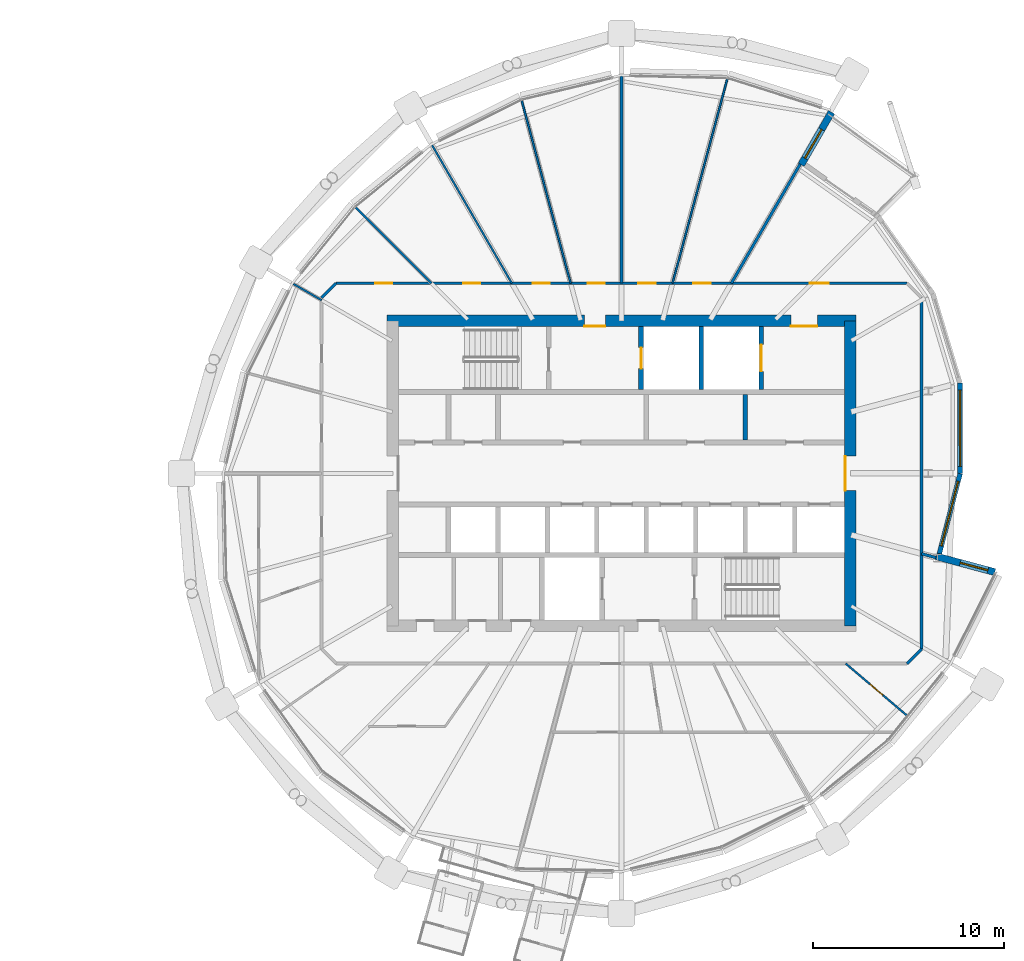
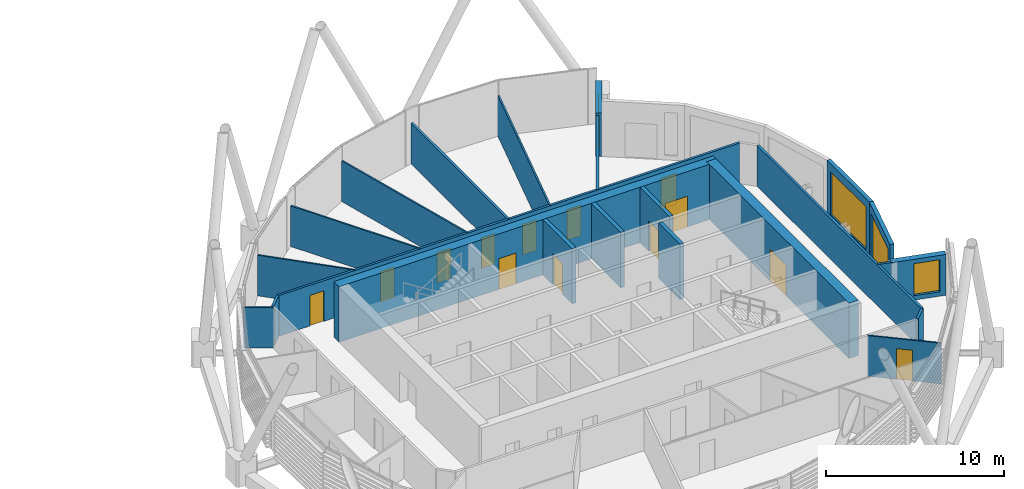
# One storey, part 26 of 37: 23 walls, 13 doors, 4 windows, 17 openings.
"""IFC4 building model written with IfcOpenShell, lengths in metres."""

from ifc_helpers import new_model, si_unit, direction, frame, frame_2d, origin, place, context, subcontext, project, spatial, rectangle, extrude, material, layer, layer_set, type_object, element, fill, save


model = new_model("IFC4")

# Units and contexts
model_context = context("Model", 3, precision=1e-05, world=origin(), true_north=direction((0.0, 1.0)))
body_context = subcontext(model_context, "Body", "Model", "MODEL_VIEW")
ifc_project = project(units=[si_unit("LENGTHUNIT", "METRE"), si_unit("AREAUNIT", "SQUARE_METRE"), si_unit("VOLUMEUNIT", "CUBIC_METRE"), si_unit("PLANEANGLEUNIT", "RADIAN"), si_unit("MASSUNIT", "GRAM", prefix="KILO")], contexts=[model_context])

# Site, building, storey
site_placement = place(None, origin())
site = spatial("IfcSite", under=ifc_project, at=site_placement, CompositionType="ELEMENT")
building_placement = place(site_placement, origin())
building = spatial("IfcBuilding", under=site, at=building_placement, Name="Rimbun Link Towers", CompositionType="ELEMENT")
storey_placement = place(building_placement, frame((0.0, 0.0, 170.300048828125)))
storey = spatial("IfcBuildingStorey", under=building, at=storey_placement, Name="L41", CompositionType="ELEMENT", Elevation=170.300048828125)

# Wall, opening, window
ifc_material_1 = material(Name="Dark enamelled glass spandrel on insulated aluminium backpan", Category="aluminium")
ifc_layer_1 = layer(ifc_material_1, 0.25)
ifc_layer_set_1 = layer_set([ifc_layer_1], Name="CS dark enamelled spandrel wall 250")
wall_type_1 = type_object("IfcWallType", Name="CS dark enamelled spandrel wall 250", PredefinedType="STANDARD", material=ifc_layer_set_1)
wall_1_placement = place(storey_placement, frame((49.508056640625, -0.015869140625, 0.0), z_axis=(0.0, 0.0, 1.0), x_axis=(-0.251014977981, -0.967983202762, 0.0)))
wall_1 = element("IfcWall", 1, at=wall_1_placement, inside=storey, type_object=wall_type_1, Name="Crease spandrel wall", PredefinedType="STANDARD", context=body_context, shape_type="SweptSolid", body=[
    extrude(rectangle(XDim=4.3310546875, YDim=0.25, at=frame_2d((2.16552734375, 0.0))), origin(), (0.0, 0.0, 1.0), 3.800048828125),
])
opening_1_placement = place(wall_1_placement, frame((0.41552734375, 0.0, 0.300048828125)))
opening_1 = element("IfcOpeningElement", 2, at=opening_1_placement, cuts=wall_1, Name="Opening WR35H295", PredefinedType="OPENING", context=body_context, shape_type="SweptSolid", body=[
    extrude(rectangle(XDim=3.5, YDim=2.949951171875, at=frame_2d((1.75, 1.47509765625))), frame((0.0, 0.135009765625, 0.0), z_axis=(0.0, -1.0, 0.0), x_axis=(1.0, 0.0, 0.0)), (0.0, 0.0, 1.0), 0.27001953125),
])
ifc_material_2 = material(Name="Aluminium framed fixed window, dark tinted low-e glass", Category="aluminium")
window_type_1 = type_object("IfcWindowType", Name="WR ribbon window 3500X2950", PartitioningType="SINGLE_PANEL", PredefinedType="WINDOW", material=ifc_material_2)
window_1_placement = place(opening_1_placement, origin())
window_1 = element("IfcWindow", 3, at=window_1_placement, inside=storey, type_object=window_type_1, Name="Crease ribbon window", OverallHeight=2.949951171875, OverallWidth=3.5, PartitioningType="SINGLE_PANEL", PredefinedType="WINDOW", context=body_context, shape_type="SweptSolid", body=[
    extrude(rectangle(XDim=3.5, YDim=2.949951171875, at=frame_2d((1.75, 1.47509765625))), frame((0.0, 0.030029296875, 0.0), z_axis=(0.0, -1.0, 0.0), x_axis=(1.0, 0.0, 0.0)), (0.0, 0.0, 1.0), 0.06005859375),
])
fill(opening_1, window_1)

wall_2_placement = place(storey_placement, frame((49.500244140625, 4.7412109375, 0.0), z_axis=(0.0, 0.0, 1.0), x_axis=(0.001642286725, -0.999998651446, 0.0)))
wall_2 = element("IfcWall", 4, at=wall_2_placement, inside=storey, type_object=wall_type_1, Name="Crease spandrel wall", PredefinedType="STANDARD", context=body_context, shape_type="SweptSolid", body=[
    extrude(rectangle(XDim=4.757080078125, YDim=0.25, at=frame_2d((2.37841796875, 0.0))), origin(), (0.0, 0.0, 1.0), 3.800048828125),
])
opening_2_placement = place(wall_2_placement, frame((0.378662109375, 0.0, 0.300048828125)))
opening_2 = element("IfcOpeningElement", 5, at=opening_2_placement, cuts=wall_2, Name="Opening WR40H295", PredefinedType="OPENING", context=body_context, shape_type="SweptSolid", body=[
    extrude(rectangle(XDim=4.0, YDim=2.949951171875, at=frame_2d((2.0, 1.47509765625))), frame((0.0, 0.135009765625, 0.0), z_axis=(0.0, -1.0, 0.0), x_axis=(1.0, 0.0, 0.0)), (0.0, 0.0, 1.0), 0.27001953125),
])
ifc_material_3 = material(Name="Aluminium framed fixed window, dark tinted low-e glass", Category="aluminium")
window_type_2 = type_object("IfcWindowType", Name="WR ribbon window 4000X2950", PartitioningType="SINGLE_PANEL", PredefinedType="WINDOW", material=ifc_material_3)
window_2_placement = place(opening_2_placement, origin())
window_2 = element("IfcWindow", 6, at=window_2_placement, inside=storey, type_object=window_type_2, Name="Crease ribbon window", OverallHeight=2.949951171875, OverallWidth=4.0, PartitioningType="SINGLE_PANEL", PredefinedType="WINDOW", context=body_context, shape_type="SweptSolid", body=[
    extrude(rectangle(XDim=4.0, YDim=2.949951171875, at=frame_2d((2.0, 1.47509765625))), frame((0.0, 0.030029296875, 0.0), z_axis=(0.0, -1.0, 0.0), x_axis=(1.0, 0.0, 0.0)), (0.0, 0.0, 1.0), 0.06005859375),
])
fill(opening_2, window_2)

ifc_material_4 = material(Name="Dark enamelled glass spandrel on insulated aluminium backpan", Category="aluminium")
ifc_layer_2 = layer(ifc_material_4, 0.3701171875)
ifc_layer_set_2 = layer_set([ifc_layer_2], Name="CS dark enamelled spandrel wall 370")
wall_type_2 = type_object("IfcWallType", Name="CS dark enamelled spandrel wall 370", PredefinedType="STANDARD", material=ifc_layer_set_2)
wall_3_placement = place(storey_placement, frame((48.25439453125, -4.35498046875, 0.0), z_axis=(0.0, 0.0, 1.0), x_axis=(0.965927146643, -0.258814117426, 0.0)))
wall_3 = element("IfcWall", 7, at=wall_3_placement, inside=storey, type_object=wall_type_2, Name="Crease spandrel wall", PredefinedType="STANDARD", context=body_context, shape_type="SweptSolid", body=[
    extrude(rectangle(XDim=3.179931640625, YDim=0.3701171875, at=frame_2d((1.58984375, 0.0))), origin(), (0.0, 0.0, 1.0), 2.799072265625),
])
opening_3_placement = place(wall_3_placement, frame((1.305419921875, 0.0, 0.300048828125)))
opening_3 = element("IfcOpeningElement", 8, at=opening_3_placement, cuts=wall_3, Name="Opening WR15H220", PredefinedType="OPENING", context=body_context, shape_type="SweptSolid", body=[
    extrude(rectangle(XDim=1.5, YDim=2.199951171875, at=frame_2d((0.75, 1.10009765625))), frame((0.0, 0.195068359375, 0.0), z_axis=(0.0, -1.0, 0.0), x_axis=(1.0, 0.0, 0.0)), (0.0, 0.0, 1.0), 0.39013671875),
])
ifc_material_5 = material(Name="Aluminium framed fixed window, dark tinted low-e glass", Category="aluminium")
window_type_3 = type_object("IfcWindowType", Name="WR ribbon window 1500X2200", PartitioningType="SINGLE_PANEL", PredefinedType="WINDOW", material=ifc_material_5)
window_3_placement = place(opening_3_placement, origin())
window_3 = element("IfcWindow", 9, at=window_3_placement, inside=storey, type_object=window_type_3, Name="Crease ribbon window", OverallHeight=2.199951171875, OverallWidth=1.5, PartitioningType="SINGLE_PANEL", PredefinedType="WINDOW", context=body_context, shape_type="SweptSolid", body=[
    extrude(rectangle(XDim=1.5, YDim=2.199951171875, at=frame_2d((0.75, 1.10009765625))), frame((0.0, 0.030029296875, 0.0), z_axis=(0.0, -1.0, 0.0), x_axis=(1.0, 0.0, 0.0)), (0.0, 0.0, 1.0), 0.06005859375),
])
fill(opening_3, window_3)

wall_4_placement = place(storey_placement, frame((42.762451171875, 18.944091796875, 0.0), z_axis=(0.0, 0.0, 1.0), x_axis=(-0.4999705729, -0.866042392862, 0.0)))
wall_4 = element("IfcWall", 10, at=wall_4_placement, inside=storey, type_object=wall_type_2, Name="Crease spandrel wall", PredefinedType="STANDARD", context=body_context, shape_type="SweptSolid", body=[
    extrude(rectangle(XDim=3.179931640625, YDim=0.3701171875, at=frame_2d((1.58984375, 0.0))), origin(), (0.0, 0.0, 1.0), 2.95654296875),
])
opening_4_placement = place(wall_4_placement, frame((1.035400390625, 0.0, 0.300048828125)))
opening_4 = element("IfcOpeningElement", 11, at=opening_4_placement, cuts=wall_4, Name="Opening WR18H245", PredefinedType="OPENING", context=body_context, shape_type="SweptSolid", body=[
    extrude(rectangle(XDim=1.75, YDim=2.449951171875, at=frame_2d((0.875, 1.22509765625))), frame((0.0, 0.195068359375, 0.0), z_axis=(0.0, -1.0, 0.0), x_axis=(1.0, 0.0, 0.0)), (0.0, 0.0, 1.0), 0.39013671875),
])
ifc_material_6 = material(Name="Aluminium framed fixed window, dark tinted low-e glass", Category="aluminium")
window_type_4 = type_object("IfcWindowType", Name="WR ribbon window 1750X2450", PartitioningType="SINGLE_PANEL", PredefinedType="WINDOW", material=ifc_material_6)
window_4_placement = place(opening_4_placement, origin())
window_4 = element("IfcWindow", 12, at=window_4_placement, inside=storey, type_object=window_type_4, Name="Crease ribbon window", OverallHeight=2.449951171875, OverallWidth=1.75, PartitioningType="SINGLE_PANEL", PredefinedType="WINDOW", context=body_context, shape_type="SweptSolid", body=[
    extrude(rectangle(XDim=1.75, YDim=2.449951171875, at=frame_2d((0.875, 1.22509765625))), frame((0.0, 0.030029296875, 0.0), z_axis=(0.0, -1.0, 0.0), x_axis=(1.0, 0.0, 0.0)), (0.0, 0.0, 1.0), 0.06005859375),
])
fill(opening_4, window_4)

# Wall, openings, doors
ifc_material_7 = material(Name="Concrete C60/75", Category="concrete")
ifc_layer_3 = layer(ifc_material_7, 0.60009765625)
ifc_layer_set_3 = layer_set([ifc_layer_3], Name="Core shear wall 600")
wall_type_3 = type_object("IfcWallType", Name="Core shear wall 600", PredefinedType="SHEAR", material=ifc_layer_set_3)
wall_5_placement = place(storey_placement, frame((19.449951171875, 8.0, 0.0), z_axis=(0.0, 0.0, 1.0), x_axis=(1.0, 0.0, 0.0)))
wall_5 = element("IfcWall", 13, at=wall_5_placement, inside=storey, type_object=wall_type_3, Name="L41 T2 core wall N", PredefinedType="SHEAR", context=body_context, shape_type="SweptSolid", body=[
    extrude(rectangle(XDim=24.60009765625, YDim=0.60009765625, at=frame_2d((12.300048828125, 0.0))), origin(), (0.0, 0.0, 1.0), 3.800048828125),
])
opening_5_placement = place(wall_5_placement, frame((10.35009765625, 0.0, 0.0)))
opening_5 = element("IfcOpeningElement", 14, at=opening_5_placement, cuts=wall_5, Name="Opening C2DCF01N", PredefinedType="OPENING", context=body_context, shape_type="SweptSolid", body=[
    extrude(rectangle(XDim=1.10009765625, YDim=2.10009765625, at=frame_2d((0.550048828125, 1.050048828125))), frame((0.0, 0.31005859375, 0.0), z_axis=(0.0, -1.0, 0.0), x_axis=(1.0, 0.0, 0.0)), (0.0, 0.0, 1.0), 0.6201171875),
])
opening_6_placement = place(wall_5_placement, frame((21.175048828125, 0.0, 0.0)))
opening_6 = element("IfcOpeningElement", 15, at=opening_6_placement, cuts=wall_5, Name="Opening C2DSL02N", PredefinedType="OPENING", context=body_context, shape_type="SweptSolid", body=[
    extrude(rectangle(XDim=1.39990234375, YDim=2.10009765625, at=frame_2d((0.699951171875, 1.050048828125))), frame((0.0, 0.31005859375, 0.0), z_axis=(0.0, -1.0, 0.0), x_axis=(1.0, 0.0, 0.0)), (0.0, 0.0, 1.0), 0.6201171875),
])
ifc_material_8 = material(Name="Steel fire door set", Category="steel")
door_type_1 = type_object("IfcDoorType", Name="Core fire door single", OperationType="SINGLE_SWING_LEFT", PredefinedType="DOOR", material=ifc_material_8)
door_1_placement = place(opening_5_placement, origin())
door_1 = element("IfcDoor", 16, at=door_1_placement, inside=storey, type_object=door_type_1, Name="L41 T2 firefighting lobby n door", OperationType="SINGLE_SWING_RIGHT", OverallHeight=2.10009765625, OverallWidth=1.10009765625, PredefinedType="DOOR", context=body_context, shape_type="SweptSolid", body=[
    extrude(rectangle(XDim=1.10009765625, YDim=2.10009765625, at=frame_2d((0.550048828125, 1.050048828125))), frame((0.0, -0.25, 0.0), z_axis=(0.0, -1.0, 0.0), x_axis=(1.0, 0.0, 0.0)), (0.0, 0.0, 1.0), 0.050048828125),
])
fill(opening_5, door_1)
ifc_material_9 = material(Name="Steel fire door set", Category="steel")
door_type_2 = type_object("IfcDoorType", Name="Service lobby door double", OperationType="DOUBLE_DOOR_SINGLE_SWING", PredefinedType="DOOR", material=ifc_material_9)
door_2_placement = place(opening_6_placement, origin())
door_2 = element("IfcDoor", 17, at=door_2_placement, inside=storey, type_object=door_type_2, Name="L41 T2 service lobby door", OperationType="DOUBLE_DOOR_SINGLE_SWING", OverallHeight=2.10009765625, OverallWidth=1.39990234375, PredefinedType="DOOR", context=body_context, shape_type="SweptSolid", body=[
    extrude(rectangle(XDim=1.39990234375, YDim=2.10009765625, at=frame_2d((0.699951171875, 1.050048828125))), frame((0.0, -0.25, 0.0), z_axis=(0.0, -1.0, 0.0), x_axis=(1.0, 0.0, 0.0)), (0.0, 0.0, 1.0), 0.050048828125),
])
fill(opening_6, door_2)

# Wall, opening, door
wall_6_placement = place(storey_placement, frame((43.75, -8.0, 0.0), z_axis=(0.0, 0.0, 1.0), x_axis=(0.0, 1.0, 0.0)))
wall_6 = element("IfcWall", 18, at=wall_6_placement, inside=storey, type_object=wall_type_3, Name="L41 T2 core wall E", PredefinedType="SHEAR", context=body_context, shape_type="SweptSolid", body=[
    extrude(rectangle(XDim=16.0, YDim=0.60009765625, at=frame_2d((8.0, 0.0))), origin(), (0.0, 0.0, 1.0), 3.800048828125),
])
opening_7_placement = place(wall_6_placement, frame((7.10009765625, 0.0, 0.0)))
opening_7 = element("IfcOpeningElement", 19, at=opening_7_placement, cuts=wall_6, Name="Opening C2DCL01E", PredefinedType="OPENING", context=body_context, shape_type="SweptSolid", body=[
    extrude(rectangle(XDim=1.800048828125, YDim=2.10009765625, at=frame_2d((0.89990234375, 1.050048828125))), frame((0.0, 0.31005859375, 0.0), z_axis=(0.0, -1.0, 0.0), x_axis=(1.0, 0.0, 0.0)), (0.0, 0.0, 1.0), 0.6201171875),
])
ifc_material_10 = material(Name="Steel fire door set", Category="steel")
door_type_3 = type_object("IfcDoorType", Name="Core lobby door double", OperationType="DOUBLE_DOOR_SINGLE_SWING", PredefinedType="DOOR", material=ifc_material_10)
door_3_placement = place(opening_7_placement, origin())
door_3 = element("IfcDoor", 20, at=door_3_placement, inside=storey, type_object=door_type_3, Name="L41 T2 lift lobby door", OperationType="DOUBLE_DOOR_SINGLE_SWING", OverallHeight=2.10009765625, OverallWidth=1.800048828125, PredefinedType="DOOR", context=body_context, shape_type="SweptSolid", body=[
    extrude(rectangle(XDim=1.800048828125, YDim=2.10009765625, at=frame_2d((0.89990234375, 1.050048828125))), frame((0.0, 0.2998046875, 0.0), z_axis=(0.0, -1.0, 0.0), x_axis=(1.0, 0.0, 0.0)), (0.0, 0.0, 1.0), 0.050048828125),
])
fill(opening_7, door_3)

# Wall, openings, doors
ifc_material_11 = material(Name="Plasterboard on steel stud, mineral wool", Category="steel")
ifc_layer_4 = layer(ifc_material_11, 0.14990234375)
ifc_layer_set_4 = layer_set([ifc_layer_4], Name="Corridor wall EI 30 150 mm")
wall_type_4 = type_object("IfcWallType", Name="Corridor wall EI 30 150 mm", PredefinedType="PARTITIONING", material=ifc_layer_set_4)
wall_7_placement = place(storey_placement, frame((16.7763671875, 9.97509765625, 0.0), z_axis=(0.0, 0.0, 1.0), x_axis=(1.0, 0.0, 0.0)))
wall_7 = element("IfcWall", 21, at=wall_7_placement, inside=storey, type_object=wall_type_4, Name="Corridor wall EI 30 150 mm", PredefinedType="PARTITIONING", context=body_context, shape_type="SweptSolid", body=[
    extrude(rectangle(XDim=29.947265625, YDim=0.14990234375, at=frame_2d((14.9736328125, 0.0))), origin(), (0.0, 0.0, 1.0), 2.7890625),
])
opening_8_placement = place(wall_7_placement, frame((18.739501953125, 0.0, 0.0)))
opening_8 = element("IfcOpeningElement", 22, at=opening_8_placement, cuts=wall_7, Name="Opening D02", PredefinedType="OPENING", context=body_context, shape_type="SweptSolid", body=[
    extrude(rectangle(XDim=0.89990234375, YDim=2.10009765625, at=frame_2d((0.449951171875, 1.050048828125))), frame((0.0, 0.0849609375, 0.0), z_axis=(0.0, -1.0, 0.0), x_axis=(1.0, 0.0, 0.0)), (0.0, 0.0, 1.0), 0.169921875),
])
opening_9_placement = place(wall_7_placement, frame((15.860107421875, 0.0, 0.0)))
opening_9 = element("IfcOpeningElement", 23, at=opening_9_placement, cuts=wall_7, Name="Opening D02", PredefinedType="OPENING", context=body_context, shape_type="SweptSolid", body=[
    extrude(rectangle(XDim=0.89990234375, YDim=2.10009765625, at=frame_2d((0.449951171875, 1.050048828125))), frame((0.0, 0.0849609375, 0.0), z_axis=(0.0, -1.0, 0.0), x_axis=(1.0, 0.0, 0.0)), (0.0, 0.0, 1.0), 0.169921875),
])
opening_10_placement = place(wall_7_placement, frame((13.187255859375, 0.0, 0.0)))
opening_10 = element("IfcOpeningElement", 24, at=opening_10_placement, cuts=wall_7, Name="Opening D02", PredefinedType="OPENING", context=body_context, shape_type="SweptSolid", body=[
    extrude(rectangle(XDim=0.89990234375, YDim=2.10009765625, at=frame_2d((0.449951171875, 1.050048828125))), frame((0.0, 0.0849609375, 0.0), z_axis=(0.0, -1.0, 0.0), x_axis=(1.0, 0.0, 0.0)), (0.0, 0.0, 1.0), 0.169921875),
])
opening_11_placement = place(wall_7_placement, frame((10.307861328125, 0.0, 0.0)))
opening_11 = element("IfcOpeningElement", 25, at=opening_11_placement, cuts=wall_7, Name="Opening D02", PredefinedType="OPENING", context=body_context, shape_type="SweptSolid", body=[
    extrude(rectangle(XDim=0.89990234375, YDim=2.10009765625, at=frame_2d((0.449951171875, 1.050048828125))), frame((0.0, 0.0849609375, 0.0), z_axis=(0.0, -1.0, 0.0), x_axis=(1.0, 0.0, 0.0)), (0.0, 0.0, 1.0), 0.169921875),
])
opening_12_placement = place(wall_7_placement, frame((6.65673828125, 0.0, 0.0)))
opening_12 = element("IfcOpeningElement", 26, at=opening_12_placement, cuts=wall_7, Name="Opening D02", PredefinedType="OPENING", context=body_context, shape_type="SweptSolid", body=[
    extrude(rectangle(XDim=0.89990234375, YDim=2.10009765625, at=frame_2d((0.449951171875, 1.050048828125))), frame((0.0, 0.0849609375, 0.0), z_axis=(0.0, -1.0, 0.0), x_axis=(1.0, 0.0, 0.0)), (0.0, 0.0, 1.0), 0.169921875),
])
opening_13_placement = place(wall_7_placement, frame((2.04931640625, 0.0, 0.0)))
opening_13 = element("IfcOpeningElement", 27, at=opening_13_placement, cuts=wall_7, Name="Opening D02", PredefinedType="OPENING", context=body_context, shape_type="SweptSolid", body=[
    extrude(rectangle(XDim=0.89990234375, YDim=2.10009765625, at=frame_2d((0.449951171875, 1.050048828125))), frame((0.0, 0.0849609375, 0.0), z_axis=(0.0, -1.0, 0.0), x_axis=(1.0, 0.0, 0.0)), (0.0, 0.0, 1.0), 0.169921875),
])
opening_14_placement = place(wall_7_placement, frame((24.840087890625, 0.0, 0.0)))
opening_14 = element("IfcOpeningElement", 28, at=opening_14_placement, cuts=wall_7, Name="Opening D01", PredefinedType="OPENING", context=body_context, shape_type="SweptSolid", body=[
    extrude(rectangle(XDim=1.0, YDim=2.10009765625, at=frame_2d((0.5, 1.050048828125))), frame((0.0, 0.0849609375, 0.0), z_axis=(0.0, -1.0, 0.0), x_axis=(1.0, 0.0, 0.0)), (0.0, 0.0, 1.0), 0.169921875),
])
ifc_material_12 = material(Name="Fire-resisting timber door leaf", Category="wood")
door_type_4 = type_object("IfcDoorType", Name="Fire door FD30S 1000", OperationType="NOTDEFINED", PredefinedType="DOOR", material=ifc_material_12)
door_4_placement = place(opening_14_placement, origin())
door_4 = element("IfcDoor", 29, at=door_4_placement, inside=storey, type_object=door_type_4, Name="Fire door FD30S 1000 to Terrace office", OperationType="SINGLE_SWING_LEFT", OverallHeight=2.10009765625, OverallWidth=1.0, PredefinedType="DOOR", context=body_context, shape_type="SweptSolid", body=[
    extrude(rectangle(XDim=1.0, YDim=2.10009765625, at=frame_2d((0.5, 1.050048828125))), frame((0.0, 0.02490234375, 0.0), z_axis=(0.0, -1.0, 0.0), x_axis=(1.0, 0.0, 0.0)), (0.0, 0.0, 1.0), 0.050048828125),
])
fill(opening_14, door_4)
ifc_material_13 = material(Name="Fire-resisting timber door leaf", Category="wood")
door_type_5 = type_object("IfcDoorType", Name="Fire door FD30S 900", OperationType="NOTDEFINED", PredefinedType="DOOR", material=ifc_material_13)
door_5_placement = place(opening_8_placement, origin())
door_5 = element("IfcDoor", 30, at=door_5_placement, inside=storey, type_object=door_type_5, Name="Fire door FD30S 900 to Training room", OperationType="SINGLE_SWING_LEFT", OverallHeight=2.10009765625, OverallWidth=0.89990234375, PredefinedType="DOOR", context=body_context, shape_type="SweptSolid", body=[
    extrude(rectangle(XDim=0.89990234375, YDim=2.10009765625, at=frame_2d((0.449951171875, 1.050048828125))), frame((0.0, 0.02490234375, 0.0), z_axis=(0.0, -1.0, 0.0), x_axis=(1.0, 0.0, 0.0)), (0.0, 0.0, 1.0), 0.050048828125),
])
fill(opening_8, door_5)
door_6_placement = place(opening_9_placement, origin())
door_6 = element("IfcDoor", 31, at=door_6_placement, inside=storey, type_object=door_type_5, Name="Fire door FD30S 900 to Meeting room", OperationType="SINGLE_SWING_RIGHT", OverallHeight=2.10009765625, OverallWidth=0.89990234375, PredefinedType="DOOR", context=body_context, shape_type="SweptSolid", body=[
    extrude(rectangle(XDim=0.89990234375, YDim=2.10009765625, at=frame_2d((0.449951171875, 1.050048828125))), frame((0.0, 0.02490234375, 0.0), z_axis=(0.0, -1.0, 0.0), x_axis=(1.0, 0.0, 0.0)), (0.0, 0.0, 1.0), 0.050048828125),
])
fill(opening_9, door_6)
door_7_placement = place(opening_10_placement, origin())
door_7 = element("IfcDoor", 32, at=door_7_placement, inside=storey, type_object=door_type_5, Name="Fire door FD30S 900 to Data room", OperationType="SINGLE_SWING_LEFT", OverallHeight=2.10009765625, OverallWidth=0.89990234375, PredefinedType="DOOR", context=body_context, shape_type="SweptSolid", body=[
    extrude(rectangle(XDim=0.89990234375, YDim=2.10009765625, at=frame_2d((0.449951171875, 1.050048828125))), frame((0.0, 0.02490234375, 0.0), z_axis=(0.0, -1.0, 0.0), x_axis=(1.0, 0.0, 0.0)), (0.0, 0.0, 1.0), 0.050048828125),
])
fill(opening_10, door_7)
door_8_placement = place(opening_11_placement, origin())
door_8 = element("IfcDoor", 33, at=door_8_placement, inside=storey, type_object=door_type_5, Name="Fire door FD30S 900 to Communications room", OperationType="SINGLE_SWING_RIGHT", OverallHeight=2.10009765625, OverallWidth=0.89990234375, PredefinedType="DOOR", context=body_context, shape_type="SweptSolid", body=[
    extrude(rectangle(XDim=0.89990234375, YDim=2.10009765625, at=frame_2d((0.449951171875, 1.050048828125))), frame((0.0, 0.02490234375, 0.0), z_axis=(0.0, -1.0, 0.0), x_axis=(1.0, 0.0, 0.0)), (0.0, 0.0, 1.0), 0.050048828125),
])
fill(opening_11, door_8)
door_9_placement = place(opening_12_placement, origin())
door_9 = element("IfcDoor", 34, at=door_9_placement, inside=storey, type_object=door_type_5, Name="Fire door FD30S 900 to Trading floor", OperationType="SINGLE_SWING_LEFT", OverallHeight=2.10009765625, OverallWidth=0.89990234375, PredefinedType="DOOR", context=body_context, shape_type="SweptSolid", body=[
    extrude(rectangle(XDim=0.89990234375, YDim=2.10009765625, at=frame_2d((0.449951171875, 1.050048828125))), frame((0.0, 0.02490234375, 0.0), z_axis=(0.0, -1.0, 0.0), x_axis=(1.0, 0.0, 0.0)), (0.0, 0.0, 1.0), 0.050048828125),
])
fill(opening_12, door_9)
door_10_placement = place(opening_13_placement, origin())
door_10 = element("IfcDoor", 35, at=door_10_placement, inside=storey, type_object=door_type_5, Name="Fire door FD30S 900 to Data room", OperationType="SINGLE_SWING_RIGHT", OverallHeight=2.10009765625, OverallWidth=0.89990234375, PredefinedType="DOOR", context=body_context, shape_type="SweptSolid", body=[
    extrude(rectangle(XDim=0.89990234375, YDim=2.10009765625, at=frame_2d((0.449951171875, 1.050048828125))), frame((0.0, 0.02490234375, 0.0), z_axis=(0.0, -1.0, 0.0), x_axis=(1.0, 0.0, 0.0)), (0.0, 0.0, 1.0), 0.050048828125),
])
fill(opening_13, door_10)

# Walls
wall_8_placement = place(storey_placement, frame((47.485107421875, -9.213623046875, 0.0), z_axis=(0.0, 0.0, 1.0), x_axis=(0.0, 1.0, 0.0)))
element("IfcWall", 36, at=wall_8_placement, inside=storey, type_object=wall_type_4, Name="Corridor wall EI 30 150 mm", PredefinedType="PARTITIONING", context=body_context, shape_type="SweptSolid", body=[
    extrude(rectangle(XDim=18.42724609375, YDim=0.14990234375, at=frame_2d((9.213623046875, 0.0))), origin(), (0.0, 0.0, 1.0), 2.7890625),
])
for number, where, z_axis, x_axis, name in (
    (37, (46.7236328125, -9.97509765625, 0.0), (0.0, 0.0, 1.0), (0.707106781187, 0.707106781187, 0.0), "Corridor wall EI 30 150 mm"),
    (38, (16.7763671875, 9.97509765625, 0.0), (0.0, 0.0, 1.0), (-0.707106781187, -0.707106781187, 0.0), "Corridor wall EI 30 150 mm"),
):
    element("IfcWall", number, at=place(storey_placement, frame(where, z_axis=z_axis, x_axis=x_axis)), inside=storey, type_object=wall_type_4, Name=name, PredefinedType="PARTITIONING", context=body_context, shape_type="SweptSolid", body=[
        extrude(rectangle(XDim=1.076904296875, YDim=0.14990234375, at=frame_2d((0.53857421875, 0.0))), origin(), (0.0, 0.0, 1.0), 2.7890625),
    ])
ifc_material_14 = material(Name="Plasterboard on steel stud", Category="steel")
ifc_layer_5 = layer(ifc_material_14, 0.10009765625)
ifc_layer_set_5 = layer_set([ifc_layer_5], Name="Plasterboard partition 100 mm")
wall_type_5 = type_object("IfcWallType", Name="Plasterboard partition 100 mm", PredefinedType="PARTITIONING", material=ifc_layer_set_5)
wall_9_placement = place(storey_placement, frame((37.30078125, 20.71630859375, 0.0), z_axis=(0.0, 0.0, 1.0), x_axis=(-0.258804856252, -0.965929628068, 0.0)))
element("IfcWall", 39, at=wall_9_placement, inside=storey, type_object=wall_type_5, Name="Plasterboard partition 100 mm", PredefinedType="PARTITIONING", context=body_context, shape_type="SweptSolid", body=[
    extrude(rectangle(XDim=11.1201171875, YDim=0.10009765625, at=frame_2d((5.56005859375, 0.0))), origin(), (0.0, 0.0, 1.0), 2.7890625),
])
wall_10_placement = place(storey_placement, frame((26.50390625, 19.57861328125, 0.0), z_axis=(0.0, 0.0, 1.0), x_axis=(0.258817912539, -0.965926129758, 0.0)))
element("IfcWall", 40, at=wall_10_placement, inside=storey, type_object=wall_type_5, Name="Plasterboard partition 100 mm", PredefinedType="PARTITIONING", context=body_context, shape_type="SweptSolid", body=[
    extrude(rectangle(XDim=9.9423828125, YDim=0.10009765625, at=frame_2d((4.97119140625, 0.0))), origin(), (0.0, 0.0, 1.0), 2.7890625),
])
wall_11_placement = place(storey_placement, frame((21.807861328125, 17.22021484375, 0.0), z_axis=(0.0, 0.0, 1.0), x_axis=(0.50001211238, -0.866018410586, 0.0)))
element("IfcWall", 41, at=wall_11_placement, inside=storey, type_object=wall_type_5, Name="Plasterboard partition 100 mm", PredefinedType="PARTITIONING", context=body_context, shape_type="SweptSolid", body=[
    extrude(rectangle(XDim=8.365966796875, YDim=0.10009765625, at=frame_2d((4.18310546875, 0.0))), origin(), (0.0, 0.0, 1.0), 2.7890625),
])
wall_12_placement = place(storey_placement, frame((17.78564453125, 13.96435546875, 0.0), z_axis=(0.0, 0.0, 1.0), x_axis=(0.707106781187, -0.707106781187, 0.0)))
element("IfcWall", 42, at=wall_12_placement, inside=storey, type_object=wall_type_5, Name="Plasterboard partition 100 mm", PredefinedType="PARTITIONING", context=body_context, shape_type="SweptSolid", body=[
    extrude(rectangle(XDim=5.6416015625, YDim=0.10009765625, at=frame_2d((2.82080078125, 0.0))), origin(), (0.0, 0.0, 1.0), 2.7890625),
])
wall_13_placement = place(storey_placement, frame((14.52978515625, 9.942138671875, 0.0), z_axis=(0.0, 0.0, 1.0), x_axis=(0.866026740756, -0.49999768429, 0.0)))
element("IfcWall", 43, at=wall_13_placement, inside=storey, type_object=wall_type_5, Name="Plasterboard partition 100 mm", PredefinedType="PARTITIONING", context=body_context, shape_type="SweptSolid", body=[
    extrude(rectangle(XDim=1.71484375, YDim=0.10009765625, at=frame_2d((0.857421875, 0.0))), origin(), (0.0, 0.0, 1.0), 2.7890625),
])

# Wall, opening, door
wall_14_placement = place(storey_placement, frame((43.50537109375, -9.97509765625, 0.0), z_axis=(0.0, 0.0, 1.0), x_axis=(0.762487554791, -0.647002881593, 0.0)))
wall_14 = element("IfcWall", 44, at=wall_14_placement, inside=storey, type_object=wall_type_5, Name="Plasterboard partition 100 mm", PredefinedType="PARTITIONING", context=body_context, shape_type="SweptSolid", body=[
    extrude(rectangle(XDim=4.22802734375, YDim=0.10009765625, at=frame_2d((2.114013671875, 0.0))), origin(), (0.0, 0.0, 1.0), 2.7890625),
])
opening_15_placement = place(wall_14_placement, frame((1.6640625, 0.0, 0.0)))
opening_15 = element("IfcOpeningElement", 45, at=opening_15_placement, cuts=wall_14, Name="Opening D04", PredefinedType="OPENING", context=body_context, shape_type="SweptSolid", body=[
    extrude(rectangle(XDim=0.89990234375, YDim=2.10009765625, at=frame_2d((0.449951171875, 1.050048828125))), frame((0.0, 0.06005859375, 0.0), z_axis=(0.0, -1.0, 0.0), x_axis=(1.0, 0.0, 0.0)), (0.0, 0.0, 1.0), 0.1201171875),
])
ifc_material_15 = material(Name="Timber door leaf", Category="wood")
door_type_6 = type_object("IfcDoorType", Name="Flush door 900", OperationType="NOTDEFINED", PredefinedType="DOOR", material=ifc_material_15)
door_11_placement = place(opening_15_placement, origin())
door_11 = element("IfcDoor", 46, at=door_11_placement, inside=storey, type_object=door_type_6, Name="Flush door 900 to Pantry", OperationType="SINGLE_SWING_RIGHT", OverallHeight=2.10009765625, OverallWidth=0.89990234375, PredefinedType="DOOR", context=body_context, shape_type="SweptSolid", body=[
    extrude(rectangle(XDim=0.89990234375, YDim=2.10009765625, at=frame_2d((0.449951171875, 1.050048828125))), frame((0.0, 0.02490234375, 0.0), z_axis=(0.0, -1.0, 0.0), x_axis=(1.0, 0.0, 0.0)), (0.0, 0.0, 1.0), 0.050048828125),
])
fill(opening_15, door_11)

# Wall
ifc_material_16 = material(Name="Concrete C60/75", Category="concrete")
ifc_layer_6 = layer(ifc_material_16, 0.25)
ifc_layer_set_6 = layer_set([ifc_layer_6], Name="Shaft wall 250")
wall_type_6 = type_object("IfcWallType", Name="Shaft wall 250", PredefinedType="SHEAR", material=ifc_layer_set_6)
wall_15_placement = place(storey_placement, frame((38.236083984375, 1.75, 0.0), z_axis=(0.0, 0.0, 1.0), x_axis=(0.0, 1.0, 0.0)))
element("IfcWall", 47, at=wall_15_placement, inside=storey, type_object=wall_type_6, Name="L41 T2 core wall DN6", PredefinedType="SHEAR", context=body_context, shape_type="SweptSolid", body=[
    extrude(rectangle(XDim=2.39990234375, YDim=0.25, at=frame_2d((1.199951171875, 0.0))), origin(), (0.0, 0.0, 1.0), 3.800048828125),
])

# Wall, opening, door
wall_16_placement = place(storey_placement, frame((32.77490234375, 4.39990234375, 0.0), z_axis=(0.0, 0.0, 1.0), x_axis=(0.0, 1.0, 0.0)))
wall_16 = element("IfcWall", 48, at=wall_16_placement, inside=storey, type_object=wall_type_6, Name="L41 T2 core wall A2", PredefinedType="SHEAR", context=body_context, shape_type="SweptSolid", body=[
    extrude(rectangle(XDim=3.300048828125, YDim=0.25, at=frame_2d((1.64990234375, 0.0))), origin(), (0.0, 0.0, 1.0), 3.800048828125),
])
opening_16_placement = place(wall_16_placement, frame((1.10009765625, 0.0, 0.0)))
opening_16 = element("IfcOpeningElement", 49, at=opening_16_placement, cuts=wall_16, Name="Opening LD-T2-FF1", PredefinedType="OPENING", context=body_context, shape_type="SweptSolid", body=[
    extrude(rectangle(XDim=1.10009765625, YDim=2.10009765625, at=frame_2d((0.550048828125, 1.050048828125))), frame((0.0, 0.135009765625, 0.0), z_axis=(0.0, -1.0, 0.0), x_axis=(1.0, 0.0, 0.0)), (0.0, 0.0, 1.0), 0.27001953125),
])
ifc_material_17 = material(Name="Stainless steel grade 316", Category="steel")
door_type_7 = type_object("IfcDoorType", Name="Lift landing door", OperationType="DOUBLE_DOOR_SLIDING", PredefinedType="DOOR", material=ifc_material_17)
door_12_placement = place(opening_16_placement, origin())
door_12 = element("IfcDoor", 50, at=door_12_placement, inside=storey, type_object=door_type_7, Name="L41 T2 lift FF1 landing door", OperationType="DOUBLE_DOOR_SLIDING", OverallHeight=2.10009765625, OverallWidth=1.10009765625, PredefinedType="DOOR", context=body_context, shape_type="SweptSolid", body=[
    extrude(rectangle(XDim=1.10009765625, YDim=2.10009765625, at=frame_2d((0.550048828125, 1.050048828125))), frame((0.0, 0.02490234375, 0.0), z_axis=(0.0, -1.0, 0.0), x_axis=(1.0, 0.0, 0.0)), (0.0, 0.0, 1.0), 0.050048828125),
])
fill(opening_16, door_12)

# Wall
wall_17_placement = place(storey_placement, frame((35.925048828125, 4.39990234375, 0.0), z_axis=(0.0, 0.0, 1.0), x_axis=(0.0, 1.0, 0.0)))
element("IfcWall", 51, at=wall_17_placement, inside=storey, type_object=wall_type_6, Name="L41 T2 core wall A3", PredefinedType="SHEAR", context=body_context, shape_type="SweptSolid", body=[
    extrude(rectangle(XDim=3.300048828125, YDim=0.25, at=frame_2d((1.64990234375, 0.0))), origin(), (0.0, 0.0, 1.0), 3.800048828125),
])

# Wall, opening, door
wall_18_placement = place(storey_placement, frame((39.074951171875, 4.39990234375, 0.0), z_axis=(0.0, 0.0, 1.0), x_axis=(0.0, 1.0, 0.0)))
wall_18 = element("IfcWall", 52, at=wall_18_placement, inside=storey, type_object=wall_type_6, Name="L41 T2 core wall A4", PredefinedType="SHEAR", context=body_context, shape_type="SweptSolid", body=[
    extrude(rectangle(XDim=3.300048828125, YDim=0.25, at=frame_2d((1.64990234375, 0.0))), origin(), (0.0, 0.0, 1.0), 3.800048828125),
])
opening_17_placement = place(wall_18_placement, frame((0.949951171875, 0.0, 0.0)))
opening_17 = element("IfcOpeningElement", 53, at=opening_17_placement, cuts=wall_18, Name="Opening LD-T2-GL1", PredefinedType="OPENING", context=body_context, shape_type="SweptSolid", body=[
    extrude(rectangle(XDim=1.39990234375, YDim=2.10009765625, at=frame_2d((0.699951171875, 1.050048828125))), frame((0.0, 0.135009765625, 0.0), z_axis=(0.0, -1.0, 0.0), x_axis=(1.0, 0.0, 0.0)), (0.0, 0.0, 1.0), 0.27001953125),
])
ifc_material_18 = material(Name="Stainless steel grade 316", Category="steel")
door_type_8 = type_object("IfcDoorType", Name="Goods lift landing door", OperationType="DOUBLE_DOOR_SLIDING", PredefinedType="DOOR", material=ifc_material_18)
door_13_placement = place(opening_17_placement, origin())
door_13 = element("IfcDoor", 54, at=door_13_placement, inside=storey, type_object=door_type_8, Name="L41 T2 lift GL1 landing door", OperationType="DOUBLE_DOOR_SLIDING", OverallHeight=2.10009765625, OverallWidth=1.39990234375, PredefinedType="DOOR", context=body_context, shape_type="SweptSolid", body=[
    extrude(rectangle(XDim=1.39990234375, YDim=2.10009765625, at=frame_2d((0.699951171875, 1.050048828125))), frame((0.0, 0.02490234375, 0.0), z_axis=(0.0, -1.0, 0.0), x_axis=(1.0, 0.0, 0.0)), (0.0, 0.0, 1.0), 0.050048828125),
])
fill(opening_17, door_13)

# Walls
ifc_material_19 = material(Name="Plasterboard on steel stud, mineral wool", Category="steel")
ifc_layer_7 = layer(ifc_material_19, 0.14990234375)
ifc_layer_set_7 = layer_set([ifc_layer_7], Name="Tenancy separation wall EI 60 150 mm")
wall_type_7 = type_object("IfcWallType", Name="Tenancy separation wall EI 60 150 mm", PredefinedType="PARTITIONING", material=ifc_layer_set_7)
wall_19_placement = place(storey_placement, frame((37.509033203125, 9.97509765625, 0.0), z_axis=(0.0, 0.0, 1.0), x_axis=(0.500015396624, 0.866016514357, 0.0)))
element("IfcWall", 55, at=wall_19_placement, inside=storey, type_object=wall_type_7, Name="Tenancy separation wall EI 60 150 mm", PredefinedType="PARTITIONING", context=body_context, shape_type="SweptSolid", body=[
    extrude(rectangle(XDim=7.214111328125, YDim=0.14990234375, at=frame_2d((3.60693359375, 0.0))), origin(), (0.0, 0.0, 1.0), 2.7890625),
])
wall_20_placement = place(storey_placement, frame((31.75, 9.97509765625, 0.0), z_axis=(0.0, 0.0, 1.0), x_axis=(0.0, 1.0, 0.0)))
element("IfcWall", 56, at=wall_20_placement, inside=storey, type_object=wall_type_7, Name="Tenancy separation wall EI 60 150 mm", PredefinedType="PARTITIONING", context=body_context, shape_type="SweptSolid", body=[
    extrude(rectangle(XDim=10.85791015625, YDim=0.14990234375, at=frame_2d((5.428955078125, 0.0))), origin(), (0.0, 0.0, 1.0), 2.7890625),
])
wall_21_placement = place(storey_placement, frame((47.485107421875, -4.216064453125, 0.0), z_axis=(0.0, 0.0, 1.0), x_axis=(0.965911675515, -0.258871850738, 0.0)))
element("IfcWall", 57, at=wall_21_placement, inside=storey, type_object=wall_type_7, Name="Tenancy separation wall EI 60 150 mm", PredefinedType="PARTITIONING", context=body_context, shape_type="SweptSolid", body=[
    extrude(rectangle(XDim=0.779052734375, YDim=0.14990234375, at=frame_2d((0.3896484375, 0.0))), origin(), (0.0, 0.0, 1.0), 2.7890625),
])

save(model, "model.ifc")
